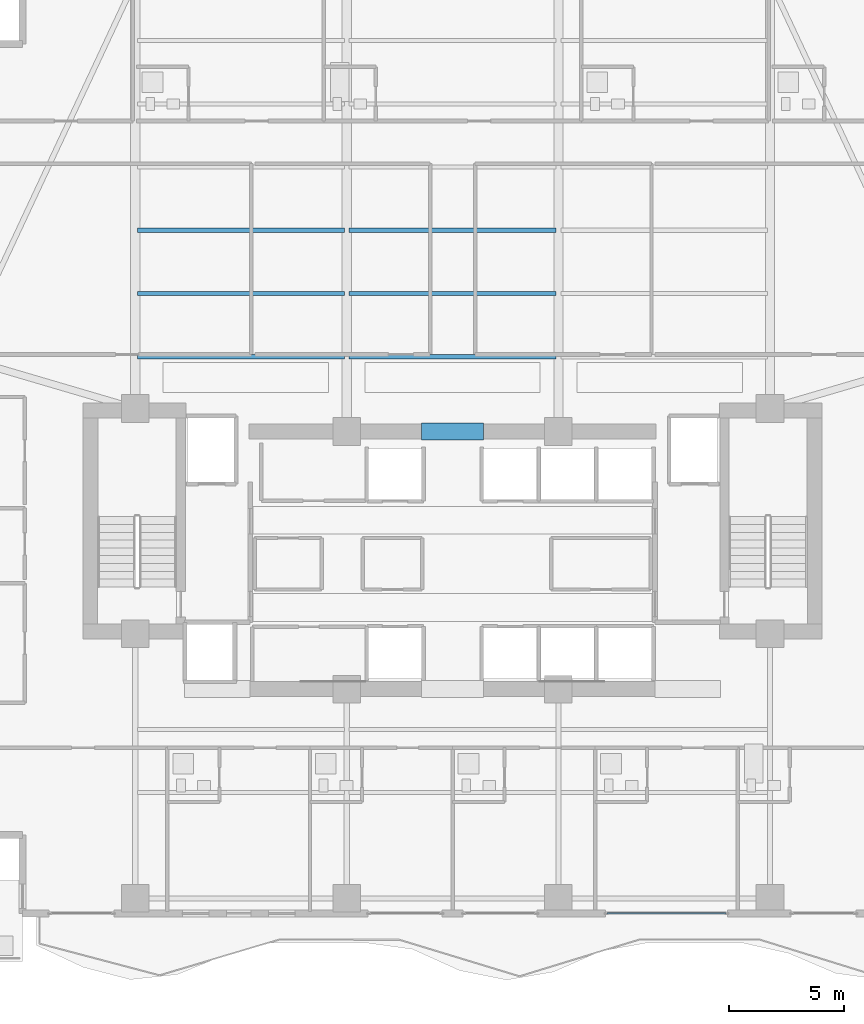
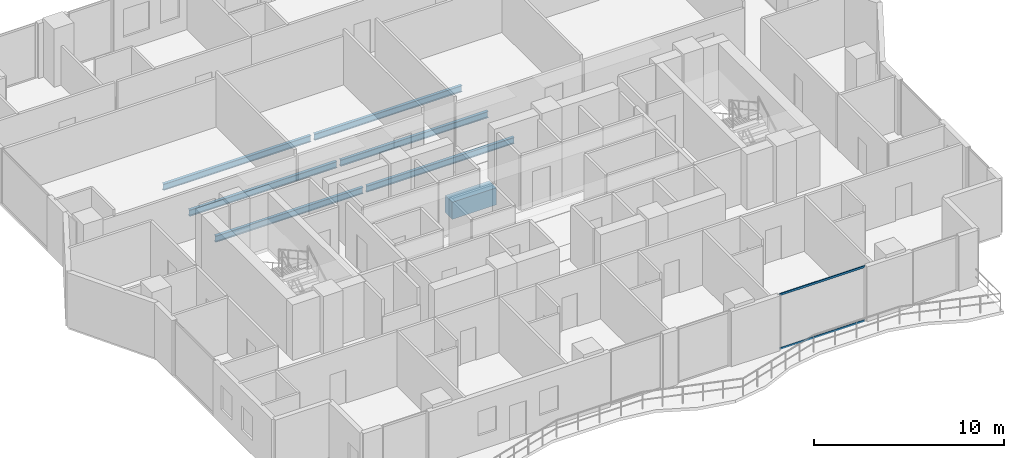
# One storey, part 8 of 32: 7 beams, 2 members, 1 element without a shape of its own.
"""IFC4 building model written with IfcOpenShell, lengths in metres."""

from ifc_helpers import new_model, si_unit, direction, frame, origin, origin_2d, place, context, subcontext, project, spatial, rectangle, hollow_rectangle, i_section, extrude, material, layer, layer_set, material_profile, profile_set, type_object, element, aggregate, save


model = new_model("IFC4")

# Units and contexts
model_context = context("Model", 3, precision=1e-05, world=origin(), true_north=direction((0.0, 1.0)))
body_context = subcontext(model_context, "Body", "Model", "MODEL_VIEW")
ifc_project = project(units=[si_unit("LENGTHUNIT", "METRE"), si_unit("AREAUNIT", "SQUARE_METRE"), si_unit("VOLUMEUNIT", "CUBIC_METRE"), si_unit("PLANEANGLEUNIT", "RADIAN"), si_unit("MASSUNIT", "GRAM", prefix="KILO")], contexts=[model_context])

# Site, building, storey
site_placement = place(None, origin())
site = spatial("IfcSite", under=ifc_project, at=site_placement, CompositionType="ELEMENT")
building_placement = place(site_placement, origin())
building = spatial("IfcBuilding", under=site, at=building_placement, Name="Zuhayl Quay Hotel", CompositionType="ELEMENT")
storey_placement = place(building_placement, frame((0.0, 0.0, 196.14990234375)))
storey = spatial("IfcBuildingStorey", under=building, at=storey_placement, Name="L49", CompositionType="ELEMENT", Elevation=196.14990234375)

# Beams
ifc_material_1 = material(Name="Concrete C60/75", Category="concrete")
ifc_material_profile_1 = material_profile(ifc_material_1, rectangle(XDim=0.75, YDim=1.10009765625, at=origin_2d()), Name="RC750X1100")
ifc_profile_set_1 = profile_set([ifc_material_profile_1], Name="Concrete C60/75")
beam_type_1 = type_object("IfcBeamType", Name="BM_CB2_RC750", PredefinedType="T_BEAM", material=ifc_profile_set_1)
beam_1_placement = place(storey_placement, frame((-1.35009765625, 13.35009765625, -0.77001953125), z_axis=(1.0, 0.0, 0.0), x_axis=(0.0, 1.0, 0.0)))
element("IfcBeam", 1, at=beam_1_placement, inside=storey, type_object=beam_type_1, Name="L49 Core Coupling Beam North", PredefinedType="T_BEAM", context=body_context, shape_type="SweptSolid", body=[
    extrude(rectangle(XDim=0.75, YDim=1.10009765625, at=origin_2d()), origin(), (0.0, 0.0, 1.0), 2.7001953125),
])
ifc_material_2 = material(Name="Steel ASTM A992 Grade 50", Category="steel")
ifc_material_profile_2 = material_profile(ifc_material_2, i_section(OverallWidth=0.177978515625, OverallDepth=0.406005859375, WebThickness=0.0078125, FlangeThickness=0.0126953125, at=origin_2d()), Name="W16X40")
ifc_profile_set_2 = profile_set([ifc_material_profile_2], Name="Steel ASTM A992 Grade 50")
beam_type_2 = type_object("IfcBeamType", Name="BM_J2B_W16X40", PredefinedType="JOIST", material=ifc_profile_set_2)
beam_2_placement = place(storey_placement, frame((-13.694091796875, 16.60009765625, -0.4228515625), z_axis=(1.0, 0.0, 0.0), x_axis=(0.0, 1.0, 0.0)))
element("IfcBeam", 2, at=beam_2_placement, inside=storey, type_object=beam_type_2, Name="L49 Floor Beam FJ_L49_1_1", PredefinedType="JOIST", context=body_context, shape_type="SweptSolid", body=[
    extrude(i_section(OverallWidth=0.177978515625, OverallDepth=0.406005859375, WebThickness=0.0078125, FlangeThickness=0.0126953125, at=origin_2d()), origin(), (0.0, 0.0, 1.0), 8.988037109375),
])
beam_3_placement = place(storey_placement, frame((-4.493896484375, 16.60009765625, -0.4228515625), z_axis=(1.0, 0.0, 0.0), x_axis=(0.0, 1.0, 0.0)))
element("IfcBeam", 3, at=beam_3_placement, inside=storey, type_object=beam_type_2, Name="L49 Floor Beam FJ_L49_1_2", PredefinedType="JOIST", context=body_context, shape_type="SweptSolid", body=[
    extrude(i_section(OverallWidth=0.177978515625, OverallDepth=0.406005859375, WebThickness=0.0078125, FlangeThickness=0.0126953125, at=origin_2d()), origin(), (0.0, 0.0, 1.0), 8.98779296875),
])
beam_4_placement = place(storey_placement, frame((-13.694091796875, 19.35009765625, -0.4228515625), z_axis=(1.0, 0.0, 0.0), x_axis=(0.0, 1.0, 0.0)))
element("IfcBeam", 4, at=beam_4_placement, inside=storey, type_object=beam_type_2, Name="L49 Floor Beam FJ_L49_2_1", PredefinedType="JOIST", context=body_context, shape_type="SweptSolid", body=[
    extrude(i_section(OverallWidth=0.177978515625, OverallDepth=0.406005859375, WebThickness=0.0078125, FlangeThickness=0.0126953125, at=origin_2d()), origin(), (0.0, 0.0, 1.0), 8.988037109375),
])
beam_5_placement = place(storey_placement, frame((-4.493896484375, 19.35009765625, -0.4228515625), z_axis=(1.0, 0.0, 0.0), x_axis=(0.0, 1.0, 0.0)))
element("IfcBeam", 5, at=beam_5_placement, inside=storey, type_object=beam_type_2, Name="L49 Floor Beam FJ_L49_2_2", PredefinedType="JOIST", context=body_context, shape_type="SweptSolid", body=[
    extrude(i_section(OverallWidth=0.177978515625, OverallDepth=0.406005859375, WebThickness=0.0078125, FlangeThickness=0.0126953125, at=origin_2d()), origin(), (0.0, 0.0, 1.0), 8.98779296875),
])
beam_6_placement = place(storey_placement, frame((-13.694091796875, 22.10009765625, -0.4228515625), z_axis=(1.0, 0.0, 0.0), x_axis=(0.0, 1.0, 0.0)))
element("IfcBeam", 6, at=beam_6_placement, inside=storey, type_object=beam_type_2, Name="L49 Floor Beam FJ_L49_3_1", PredefinedType="JOIST", context=body_context, shape_type="SweptSolid", body=[
    extrude(i_section(OverallWidth=0.177978515625, OverallDepth=0.406005859375, WebThickness=0.0078125, FlangeThickness=0.0126953125, at=origin_2d()), origin(), (0.0, 0.0, 1.0), 8.988037109375),
])
beam_7_placement = place(storey_placement, frame((-4.493896484375, 22.10009765625, -0.4228515625), z_axis=(1.0, 0.0, 0.0), x_axis=(0.0, 1.0, 0.0)))
element("IfcBeam", 7, at=beam_7_placement, inside=storey, type_object=beam_type_2, Name="L49 Floor Beam FJ_L49_3_2", PredefinedType="JOIST", context=body_context, shape_type="SweptSolid", body=[
    extrude(i_section(OverallWidth=0.177978515625, OverallDepth=0.406005859375, WebThickness=0.0078125, FlangeThickness=0.0126953125, at=origin_2d()), origin(), (0.0, 0.0, 1.0), 8.98779296875),
])

# Curtain wall, members
ifc_material_3 = material(Name="Anodised Aluminium 6063-T6", Category="aluminium")
ifc_layer = layer(ifc_material_3, 0.175048828125, Name="Anodised Aluminium 6063-T6", Category="aluminium")
ifc_layer_set = layer_set([ifc_layer], Name="Anodised Aluminium 6063-T6")
curtain_wall_type = type_object("IfcCurtainWallType", Name="CW_SYS_Z3", PredefinedType="USERDEFINED", material=ifc_layer_set)
curtain_wall_placement = place(storey_placement, origin())
curtain_wall = element("IfcCurtainWall", 8, at=curtain_wall_placement, inside=storey, type_object=curtain_wall_type, Name="L49 Curtain Wall ENV_L49_S_CW2", ObjectType="UNITISED CURTAIN WALL", PredefinedType="USERDEFINED")
ifc_material_4 = material(Name="Black-anodised aluminium 6063-T6", Category="aluminium")
ifc_material_profile_3 = material_profile(ifc_material_4, hollow_rectangle(XDim=0.054931640625, YDim=0.1298828125, WallThickness=0.0029296875, at=origin_2d()), Name="ALU130X55")
ifc_profile_set_3 = profile_set([ifc_material_profile_3], Name="Black-anodised aluminium 6063-T6")
member_type = type_object("IfcMemberType", Name="MB_CW_TRN_130", PredefinedType="USERDEFINED", material=ifc_profile_set_3)
member_1_placement = place(storey_placement, frame((11.885009765625, -7.60009765625, 0.027587890625), z_axis=(-1.0, 0.0, 0.0), x_axis=(0.0, -1.0, 0.0)))
member_1 = element("IfcMember", 9, at=member_1_placement, type_object=member_type, Name="CW-Z3 transom 1.1", ObjectType="TRANSOM", PredefinedType="USERDEFINED", context=body_context, shape_type="SweptSolid", body=[
    extrude(hollow_rectangle(XDim=0.054931640625, YDim=0.1298828125, WallThickness=0.0029296875, at=origin_2d()), origin(), (0.0, 0.0, 1.0), 5.169921875),
])
member_2_placement = place(storey_placement, frame((11.885009765625, -7.60009765625, 3.502685546875), z_axis=(-1.0, 0.0, 0.0), x_axis=(0.0, -1.0, 0.0)))
member_2 = element("IfcMember", 10, at=member_2_placement, type_object=member_type, Name="CW-Z3 transom 1.2", ObjectType="TRANSOM", PredefinedType="USERDEFINED", context=body_context, shape_type="SweptSolid", body=[
    extrude(hollow_rectangle(XDim=0.054931640625, YDim=0.1298828125, WallThickness=0.0029296875, at=origin_2d()), origin(), (0.0, 0.0, 1.0), 5.169921875),
])
aggregate(curtain_wall, [member_1, member_2])

save(model, "model.ifc")
